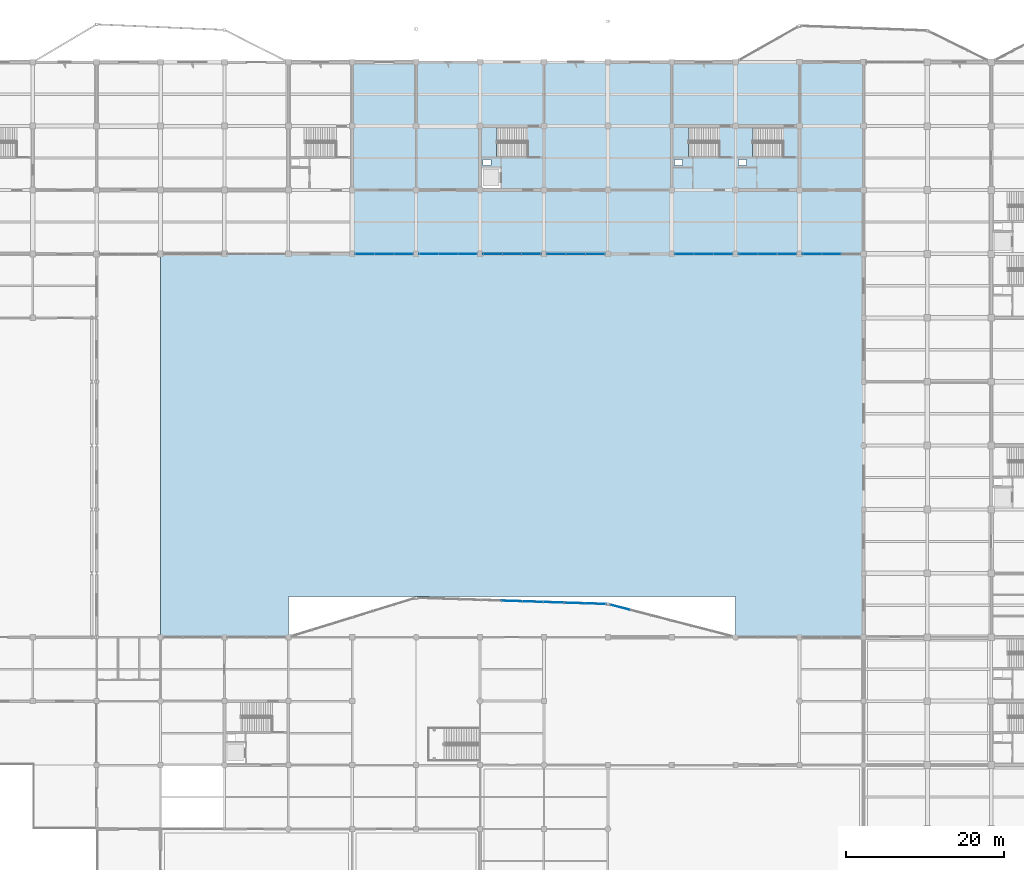
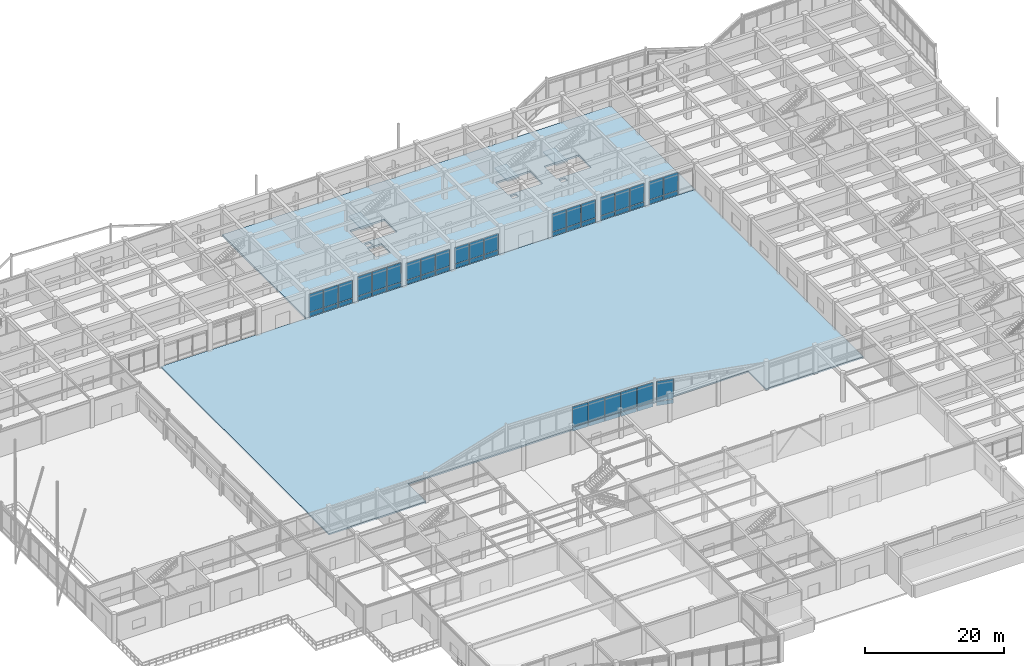
# One storey, part 54 of 99: 52 plates, 5 slabs, 13 elements without a shape of their own.
"""IFC4 building model written with IfcOpenShell, lengths in metres."""

from ifc_helpers import new_model, si_unit, direction, frame, origin, origin_2d, place, context, subcontext, project, spatial, polyline, rectangle, outline, extrude, material, layer, layer_set, type_object, element, aggregate, save


model = new_model("IFC4")

# Units and contexts
model_context = context("Model", 3, precision=1e-05, world=origin(), true_north=direction((0.0, 1.0)))
body_context = subcontext(model_context, "Body", "Model", "MODEL_VIEW")
ifc_project = project(units=[si_unit("LENGTHUNIT", "METRE"), si_unit("AREAUNIT", "SQUARE_METRE"), si_unit("VOLUMEUNIT", "CUBIC_METRE"), si_unit("PLANEANGLEUNIT", "RADIAN"), si_unit("MASSUNIT", "GRAM", prefix="KILO")], contexts=[model_context])

# Site, building, storey
site_placement = place(None, origin())
site = spatial("IfcSite", under=ifc_project, at=site_placement, CompositionType="ELEMENT")
building_placement = place(site_placement, origin())
building = spatial("IfcBuilding", under=site, at=building_placement, Name="Vaudrelin Polytechnic", CompositionType="ELEMENT")
storey_placement = place(building_placement, origin())
storey = spatial("IfcBuildingStorey", under=building, at=storey_placement, Name="L00", CompositionType="ELEMENT", Elevation=0.0)

# Curtain wall, plates
ifc_material_1 = material(Name="Thermally broken anodised aluminium AA 6063-T6 and low-e triple glazing", Category="aluminium")
ifc_layer_1 = layer(ifc_material_1, 0.199951171875)
ifc_layer_set_1 = layer_set([ifc_layer_1], Name="Thermally broken anodised aluminium AA 6063-T6 and low-e triple glazing")
curtain_wall_type_1 = type_object("IfcCurtainWallType", Name="CW-CW-LIB", PredefinedType="USERDEFINED", material=ifc_layer_set_1)
curtain_wall_1_placement = place(storey_placement, origin())
curtain_wall_1 = element("IfcCurtainWall", 1, at=curtain_wall_1_placement, inside=storey, type_object=curtain_wall_type_1, Name="Curtain wall L00 CT_N_04", ObjectType="CURTAIN WALL", PredefinedType="USERDEFINED")
ifc_material_2 = material(Name="Insulated ceramic-frit spandrel glass panel", Category="glass")
ifc_layer_2 = layer(ifc_material_2, 0.052001953125)
ifc_layer_set_2 = layer_set([ifc_layer_2], Name="Insulated ceramic-frit spandrel glass panel")
plate_type_1 = type_object("IfcPlateType", Name="PLT-GLZ-SPAND", PredefinedType="CURTAIN_PANEL", material=ifc_layer_set_2)
plate_1_placement = place(storey_placement, frame((66.398681640625, 97.199951171875, 0.08984375), z_axis=(0.0, 0.0, 1.0), x_axis=(1.0, 0.0, 0.0)))
plate_1 = element("IfcPlate", 2, at=plate_1_placement, type_object=plate_type_1, Name="CT_N_04 spandrel panel 1", PredefinedType="CURTAIN_PANEL", context=body_context, shape_type="SweptSolid", body=[
    extrude(rectangle(XDim=2.351318359375, YDim=0.052001953125, at=origin_2d()), origin(), (0.0, 0.0, 1.0), 0.699951171875),
])
plate_2_placement = place(storey_placement, frame((68.85009765625, 97.199951171875, 0.08984375), z_axis=(0.0, 0.0, 1.0), x_axis=(1.0, 0.0, 0.0)))
plate_2 = element("IfcPlate", 3, at=plate_2_placement, type_object=plate_type_1, Name="CT_N_04 spandrel panel 2", PredefinedType="CURTAIN_PANEL", context=body_context, shape_type="SweptSolid", body=[
    extrude(rectangle(XDim=2.351318359375, YDim=0.052001953125, at=origin_2d()), origin(), (0.0, 0.0, 1.0), 0.699951171875),
])
plate_3_placement = place(storey_placement, frame((71.30126953125, 97.199951171875, 0.08984375), z_axis=(0.0, 0.0, 1.0), x_axis=(1.0, 0.0, 0.0)))
plate_3 = element("IfcPlate", 4, at=plate_3_placement, type_object=plate_type_1, Name="CT_N_04 spandrel panel 3", PredefinedType="CURTAIN_PANEL", context=body_context, shape_type="SweptSolid", body=[
    extrude(rectangle(XDim=2.351318359375, YDim=0.052001953125, at=origin_2d()), origin(), (0.0, 0.0, 1.0), 0.699951171875),
])

curtain_wall_2_placement = place(storey_placement, origin())
curtain_wall_2 = element("IfcCurtainWall", 5, at=curtain_wall_2_placement, inside=storey, type_object=curtain_wall_type_1, Name="Curtain wall L00 CT_N_05", ObjectType="CURTAIN WALL", PredefinedType="USERDEFINED")
plate_4_placement = place(storey_placement, frame((74.498779296875, 97.199951171875, 0.08984375), z_axis=(0.0, 0.0, 1.0), x_axis=(1.0, 0.0, 0.0)))
plate_4 = element("IfcPlate", 6, at=plate_4_placement, type_object=plate_type_1, Name="CT_N_05 spandrel panel 1", PredefinedType="CURTAIN_PANEL", context=body_context, shape_type="SweptSolid", body=[
    extrude(rectangle(XDim=2.351318359375, YDim=0.052001953125, at=origin_2d()), origin(), (0.0, 0.0, 1.0), 0.699951171875),
])
plate_5_placement = place(storey_placement, frame((76.949951171875, 97.199951171875, 0.08984375), z_axis=(0.0, 0.0, 1.0), x_axis=(1.0, 0.0, 0.0)))
plate_5 = element("IfcPlate", 7, at=plate_5_placement, type_object=plate_type_1, Name="CT_N_05 spandrel panel 2", PredefinedType="CURTAIN_PANEL", context=body_context, shape_type="SweptSolid", body=[
    extrude(rectangle(XDim=2.351318359375, YDim=0.052001953125, at=origin_2d()), origin(), (0.0, 0.0, 1.0), 0.699951171875),
])
plate_6_placement = place(storey_placement, frame((79.4013671875, 97.199951171875, 0.08984375), z_axis=(0.0, 0.0, 1.0), x_axis=(1.0, 0.0, 0.0)))
plate_6 = element("IfcPlate", 8, at=plate_6_placement, type_object=plate_type_1, Name="CT_N_05 spandrel panel 3", PredefinedType="CURTAIN_PANEL", context=body_context, shape_type="SweptSolid", body=[
    extrude(rectangle(XDim=2.351318359375, YDim=0.052001953125, at=origin_2d()), origin(), (0.0, 0.0, 1.0), 0.699951171875),
])

curtain_wall_3_placement = place(storey_placement, origin())
curtain_wall_3 = element("IfcCurtainWall", 9, at=curtain_wall_3_placement, inside=storey, type_object=curtain_wall_type_1, Name="Curtain wall L00 CT_N_06", ObjectType="CURTAIN WALL", PredefinedType="USERDEFINED")
plate_7_placement = place(storey_placement, frame((82.5986328125, 97.199951171875, 0.08984375), z_axis=(0.0, 0.0, 1.0), x_axis=(1.0, 0.0, 0.0)))
plate_7 = element("IfcPlate", 10, at=plate_7_placement, type_object=plate_type_1, Name="CT_N_06 spandrel panel 1", PredefinedType="CURTAIN_PANEL", context=body_context, shape_type="SweptSolid", body=[
    extrude(rectangle(XDim=2.351318359375, YDim=0.052001953125, at=origin_2d()), origin(), (0.0, 0.0, 1.0), 0.699951171875),
])
plate_8_placement = place(storey_placement, frame((85.050048828125, 97.199951171875, 0.08984375), z_axis=(0.0, 0.0, 1.0), x_axis=(1.0, 0.0, 0.0)))
plate_8 = element("IfcPlate", 11, at=plate_8_placement, type_object=plate_type_1, Name="CT_N_06 spandrel panel 2", PredefinedType="CURTAIN_PANEL", context=body_context, shape_type="SweptSolid", body=[
    extrude(rectangle(XDim=2.351318359375, YDim=0.052001953125, at=origin_2d()), origin(), (0.0, 0.0, 1.0), 0.699951171875),
])
plate_9_placement = place(storey_placement, frame((87.501220703125, 97.199951171875, 0.08984375), z_axis=(0.0, 0.0, 1.0), x_axis=(1.0, 0.0, 0.0)))
plate_9 = element("IfcPlate", 12, at=plate_9_placement, type_object=plate_type_1, Name="CT_N_06 spandrel panel 3", PredefinedType="CURTAIN_PANEL", context=body_context, shape_type="SweptSolid", body=[
    extrude(rectangle(XDim=2.351318359375, YDim=0.052001953125, at=origin_2d()), origin(), (0.0, 0.0, 1.0), 0.699951171875),
])

curtain_wall_4_placement = place(storey_placement, origin())
curtain_wall_4 = element("IfcCurtainWall", 13, at=curtain_wall_4_placement, inside=storey, type_object=curtain_wall_type_1, Name="Curtain wall L00 CT_N_07", ObjectType="CURTAIN WALL", PredefinedType="USERDEFINED")
plate_10_placement = place(storey_placement, frame((90.69873046875, 97.199951171875, 0.08984375), z_axis=(0.0, 0.0, 1.0), x_axis=(1.0, 0.0, 0.0)))
plate_10 = element("IfcPlate", 14, at=plate_10_placement, type_object=plate_type_1, Name="CT_N_07 spandrel panel 1", PredefinedType="CURTAIN_PANEL", context=body_context, shape_type="SweptSolid", body=[
    extrude(rectangle(XDim=2.351318359375, YDim=0.052001953125, at=origin_2d()), origin(), (0.0, 0.0, 1.0), 0.699951171875),
])
plate_11_placement = place(storey_placement, frame((93.14990234375, 97.199951171875, 0.08984375), z_axis=(0.0, 0.0, 1.0), x_axis=(1.0, 0.0, 0.0)))
plate_11 = element("IfcPlate", 15, at=plate_11_placement, type_object=plate_type_1, Name="CT_N_07 spandrel panel 2", PredefinedType="CURTAIN_PANEL", context=body_context, shape_type="SweptSolid", body=[
    extrude(rectangle(XDim=2.351318359375, YDim=0.052001953125, at=origin_2d()), origin(), (0.0, 0.0, 1.0), 0.699951171875),
])
plate_12_placement = place(storey_placement, frame((95.601318359375, 97.199951171875, 0.08984375), z_axis=(0.0, 0.0, 1.0), x_axis=(1.0, 0.0, 0.0)))
plate_12 = element("IfcPlate", 16, at=plate_12_placement, type_object=plate_type_1, Name="CT_N_07 spandrel panel 3", PredefinedType="CURTAIN_PANEL", context=body_context, shape_type="SweptSolid", body=[
    extrude(rectangle(XDim=2.351318359375, YDim=0.052001953125, at=origin_2d()), origin(), (0.0, 0.0, 1.0), 0.699951171875),
])

curtain_wall_5_placement = place(storey_placement, origin())
curtain_wall_5 = element("IfcCurtainWall", 17, at=curtain_wall_5_placement, inside=storey, type_object=curtain_wall_type_1, Name="Curtain wall L00 CT_N_09", ObjectType="CURTAIN WALL", PredefinedType="USERDEFINED")
plate_13_placement = place(storey_placement, frame((106.898681640625, 97.199951171875, 0.08984375), z_axis=(0.0, 0.0, 1.0), x_axis=(1.0, 0.0, 0.0)))
plate_13 = element("IfcPlate", 18, at=plate_13_placement, type_object=plate_type_1, Name="CT_N_09 spandrel panel 1", PredefinedType="CURTAIN_PANEL", context=body_context, shape_type="SweptSolid", body=[
    extrude(rectangle(XDim=2.351318359375, YDim=0.052001953125, at=origin_2d()), origin(), (0.0, 0.0, 1.0), 0.699951171875),
])
plate_14_placement = place(storey_placement, frame((109.35009765625, 97.199951171875, 0.08984375), z_axis=(0.0, 0.0, 1.0), x_axis=(1.0, 0.0, 0.0)))
plate_14 = element("IfcPlate", 19, at=plate_14_placement, type_object=plate_type_1, Name="CT_N_09 spandrel panel 2", PredefinedType="CURTAIN_PANEL", context=body_context, shape_type="SweptSolid", body=[
    extrude(rectangle(XDim=2.351318359375, YDim=0.052001953125, at=origin_2d()), origin(), (0.0, 0.0, 1.0), 0.699951171875),
])
plate_15_placement = place(storey_placement, frame((111.80126953125, 97.199951171875, 0.08984375), z_axis=(0.0, 0.0, 1.0), x_axis=(1.0, 0.0, 0.0)))
plate_15 = element("IfcPlate", 20, at=plate_15_placement, type_object=plate_type_1, Name="CT_N_09 spandrel panel 3", PredefinedType="CURTAIN_PANEL", context=body_context, shape_type="SweptSolid", body=[
    extrude(rectangle(XDim=2.351318359375, YDim=0.052001953125, at=origin_2d()), origin(), (0.0, 0.0, 1.0), 0.699951171875),
])

curtain_wall_6_placement = place(storey_placement, origin())
curtain_wall_6 = element("IfcCurtainWall", 21, at=curtain_wall_6_placement, inside=storey, type_object=curtain_wall_type_1, Name="Curtain wall L00 CT_N_10", ObjectType="CURTAIN WALL", PredefinedType="USERDEFINED")
plate_16_placement = place(storey_placement, frame((114.998779296875, 97.199951171875, 0.08984375), z_axis=(0.0, 0.0, 1.0), x_axis=(1.0, 0.0, 0.0)))
plate_16 = element("IfcPlate", 22, at=plate_16_placement, type_object=plate_type_1, Name="CT_N_10 spandrel panel 1", PredefinedType="CURTAIN_PANEL", context=body_context, shape_type="SweptSolid", body=[
    extrude(rectangle(XDim=2.351318359375, YDim=0.052001953125, at=origin_2d()), origin(), (0.0, 0.0, 1.0), 0.699951171875),
])
plate_17_placement = place(storey_placement, frame((117.449951171875, 97.199951171875, 0.08984375), z_axis=(0.0, 0.0, 1.0), x_axis=(1.0, 0.0, 0.0)))
plate_17 = element("IfcPlate", 23, at=plate_17_placement, type_object=plate_type_1, Name="CT_N_10 spandrel panel 2", PredefinedType="CURTAIN_PANEL", context=body_context, shape_type="SweptSolid", body=[
    extrude(rectangle(XDim=2.351318359375, YDim=0.052001953125, at=origin_2d()), origin(), (0.0, 0.0, 1.0), 0.699951171875),
])
plate_18_placement = place(storey_placement, frame((119.9013671875, 97.199951171875, 0.08984375), z_axis=(0.0, 0.0, 1.0), x_axis=(1.0, 0.0, 0.0)))
plate_18 = element("IfcPlate", 24, at=plate_18_placement, type_object=plate_type_1, Name="CT_N_10 spandrel panel 3", PredefinedType="CURTAIN_PANEL", context=body_context, shape_type="SweptSolid", body=[
    extrude(rectangle(XDim=2.351318359375, YDim=0.052001953125, at=origin_2d()), origin(), (0.0, 0.0, 1.0), 0.699951171875),
])

curtain_wall_7_placement = place(storey_placement, origin())
curtain_wall_7 = element("IfcCurtainWall", 25, at=curtain_wall_7_placement, inside=storey, type_object=curtain_wall_type_1, Name="Curtain wall L00 CT_N_11", ObjectType="CURTAIN WALL", PredefinedType="USERDEFINED")
plate_19_placement = place(storey_placement, frame((123.0986328125, 97.199951171875, 0.08984375), z_axis=(0.0, 0.0, 1.0), x_axis=(1.0, 0.0, 0.0)))
plate_19 = element("IfcPlate", 26, at=plate_19_placement, type_object=plate_type_1, Name="CT_N_11 spandrel panel 1", PredefinedType="CURTAIN_PANEL", context=body_context, shape_type="SweptSolid", body=[
    extrude(rectangle(XDim=2.351318359375, YDim=0.052001953125, at=origin_2d()), origin(), (0.0, 0.0, 1.0), 0.699951171875),
])
plate_20_placement = place(storey_placement, frame((125.550048828125, 97.199951171875, 0.08984375), z_axis=(0.0, 0.0, 1.0), x_axis=(1.0, 0.0, 0.0)))
plate_20 = element("IfcPlate", 27, at=plate_20_placement, type_object=plate_type_1, Name="CT_N_11 spandrel panel 2", PredefinedType="CURTAIN_PANEL", context=body_context, shape_type="SweptSolid", body=[
    extrude(rectangle(XDim=2.351318359375, YDim=0.052001953125, at=origin_2d()), origin(), (0.0, 0.0, 1.0), 0.699951171875),
])

ifc_layer_3 = layer(ifc_material_1, 0.199951171875)
ifc_layer_set_3 = layer_set([ifc_layer_3], Name="Thermally broken anodised aluminium AA 6063-T6 and low-e triple glazing")
curtain_wall_type_2 = type_object("IfcCurtainWallType", Name="CW-CW-WG", PredefinedType="USERDEFINED", material=ifc_layer_set_3)
curtain_wall_8_placement = place(storey_placement, origin())
curtain_wall_8 = element("IfcCurtainWall", 28, at=curtain_wall_8_placement, inside=storey, type_object=curtain_wall_type_2, Name="Curtain wall L00 CT_OR1_2_1", ObjectType="CURTAIN WALL", PredefinedType="USERDEFINED")
plate_21_placement = place(storey_placement, frame((85.050048828125, 53.199951171875, 0.08984375), z_axis=(0.0, 0.0, 1.0), x_axis=(0.999458731894, -0.032897465558, 0.0)))
plate_21 = element("IfcPlate", 29, at=plate_21_placement, type_object=plate_type_1, Name="CT_OR1_2_1 spandrel panel 2", PredefinedType="CURTAIN_PANEL", context=body_context, shape_type="SweptSolid", body=[
    extrude(rectangle(XDim=2.548583984375, YDim=0.052001953125, at=origin_2d()), origin(), (0.0, 0.0, 1.0), 0.699951171875),
])
plate_22_placement = place(storey_placement, frame((87.697265625, 53.11279296875, 0.08984375), z_axis=(0.0, 0.0, 1.0), x_axis=(0.999458731894, -0.032897465558, 0.0)))
plate_22 = element("IfcPlate", 30, at=plate_22_placement, type_object=plate_type_1, Name="CT_OR1_2_1 spandrel panel 3", PredefinedType="CURTAIN_PANEL", context=body_context, shape_type="SweptSolid", body=[
    extrude(rectangle(XDim=2.548583984375, YDim=0.052001953125, at=origin_2d()), origin(), (0.0, 0.0, 1.0), 0.699951171875),
])

curtain_wall_9_placement = place(storey_placement, origin())
curtain_wall_9 = element("IfcCurtainWall", 31, at=curtain_wall_9_placement, inside=storey, type_object=curtain_wall_type_2, Name="Curtain wall L00 CT_OR1_2_2", ObjectType="CURTAIN WALL", PredefinedType="USERDEFINED")
plate_23_placement = place(storey_placement, frame((90.344482421875, 53.025634765625, 0.08984375), z_axis=(0.0, 0.0, 1.0), x_axis=(0.999458331652, -0.032909623096, 0.0)))
plate_23 = element("IfcPlate", 32, at=plate_23_placement, type_object=plate_type_1, Name="CT_OR1_2_2 spandrel panel 1", PredefinedType="CURTAIN_PANEL", context=body_context, shape_type="SweptSolid", body=[
    extrude(rectangle(XDim=2.548583984375, YDim=0.052001953125, at=origin_2d()), origin(), (0.0, 0.0, 1.0), 0.699951171875),
])
plate_24_placement = place(storey_placement, frame((92.99169921875, 52.9384765625, 0.08984375), z_axis=(0.0, 0.0, 1.0), x_axis=(0.999458331652, -0.032909623096, 0.0)))
plate_24 = element("IfcPlate", 33, at=plate_24_placement, type_object=plate_type_1, Name="CT_OR1_2_2 spandrel panel 2", PredefinedType="CURTAIN_PANEL", context=body_context, shape_type="SweptSolid", body=[
    extrude(rectangle(XDim=2.548583984375, YDim=0.052001953125, at=origin_2d()), origin(), (0.0, 0.0, 1.0), 0.699951171875),
])
plate_25_placement = place(storey_placement, frame((95.638916015625, 52.851318359375, 0.08984375), z_axis=(0.0, 0.0, 1.0), x_axis=(0.999458331652, -0.032909623096, 0.0)))
plate_25 = element("IfcPlate", 34, at=plate_25_placement, type_object=plate_type_1, Name="CT_OR1_2_2 spandrel panel 3", PredefinedType="CURTAIN_PANEL", context=body_context, shape_type="SweptSolid", body=[
    extrude(rectangle(XDim=2.548583984375, YDim=0.052001953125, at=origin_2d()), origin(), (0.0, 0.0, 1.0), 0.699951171875),
])

# Curtain wall, plate
curtain_wall_10_placement = place(storey_placement, origin())
curtain_wall_10 = element("IfcCurtainWall", 35, at=curtain_wall_10_placement, inside=storey, type_object=curtain_wall_type_2, Name="Curtain wall L00 CT_OR1_3_0", ObjectType="CURTAIN WALL", PredefinedType="USERDEFINED")
plate_26_placement = place(storey_placement, frame((98.72705078125, 52.404052734375, 0.08984375), z_axis=(0.0, 0.0, 1.0), x_axis=(0.967999032288, -0.250953927026, 0.0)))
plate_26 = element("IfcPlate", 36, at=plate_26_placement, type_object=plate_type_1, Name="CT_OR1_3_0 spandrel panel 1", PredefinedType="CURTAIN_PANEL", context=body_context, shape_type="SweptSolid", body=[
    extrude(rectangle(XDim=2.570068359375, YDim=0.052001953125, at=origin_2d()), origin(), (0.0, 0.0, 1.0), 0.699951171875),
])

# Plate
ifc_material_3 = material(Name="Triple low-e argon insulated glazing unit", Category="glass")
ifc_layer_4 = layer(ifc_material_3, 0.0439453125)
ifc_layer_set_4 = layer_set([ifc_layer_4], Name="Triple low-e argon insulated glazing unit")
plate_type_2 = type_object("IfcPlateType", Name="PLT-GLZ-TRIPLE", PredefinedType="CURTAIN_PANEL", material=ifc_layer_set_4)
plate_27_placement = place(storey_placement, frame((66.398681640625, 97.199951171875, 0.89990234375), z_axis=(0.0, 0.0, 1.0), x_axis=(1.0, 0.0, 0.0)))
plate_27 = element("IfcPlate", 37, at=plate_27_placement, type_object=plate_type_2, Name="CT_N_04 vision panel 1", PredefinedType="CURTAIN_PANEL", context=body_context, shape_type="SweptSolid", body=[
    extrude(rectangle(XDim=2.351318359375, YDim=0.0439453125, at=origin_2d()), origin(), (0.0, 0.0, 1.0), 3.172119140625),
])

plate_28_placement = place(storey_placement, frame((68.85009765625, 97.199951171875, 0.89990234375), z_axis=(0.0, 0.0, 1.0), x_axis=(1.0, 0.0, 0.0)))
plate_28 = element("IfcPlate", 38, at=plate_28_placement, type_object=plate_type_2, Name="CT_N_04 vision panel 2", PredefinedType="CURTAIN_PANEL", context=body_context, shape_type="SweptSolid", body=[
    extrude(rectangle(XDim=2.351318359375, YDim=0.0439453125, at=origin_2d()), origin(), (0.0, 0.0, 1.0), 3.172119140625),
])

plate_29_placement = place(storey_placement, frame((71.30126953125, 97.199951171875, 0.89990234375), z_axis=(0.0, 0.0, 1.0), x_axis=(1.0, 0.0, 0.0)))
plate_29 = element("IfcPlate", 39, at=plate_29_placement, type_object=plate_type_2, Name="CT_N_04 vision panel 3", PredefinedType="CURTAIN_PANEL", context=body_context, shape_type="SweptSolid", body=[
    extrude(rectangle(XDim=2.351318359375, YDim=0.0439453125, at=origin_2d()), origin(), (0.0, 0.0, 1.0), 3.172119140625),
])

aggregate(curtain_wall_1, [plate_1, plate_27, plate_2, plate_28, plate_3, plate_29])

plate_30_placement = place(storey_placement, frame((74.498779296875, 97.199951171875, 0.89990234375), z_axis=(0.0, 0.0, 1.0), x_axis=(1.0, 0.0, 0.0)))
plate_30 = element("IfcPlate", 40, at=plate_30_placement, type_object=plate_type_2, Name="CT_N_05 vision panel 1", PredefinedType="CURTAIN_PANEL", context=body_context, shape_type="SweptSolid", body=[
    extrude(rectangle(XDim=2.351318359375, YDim=0.0439453125, at=origin_2d()), origin(), (0.0, 0.0, 1.0), 3.406982421875),
])

plate_31_placement = place(storey_placement, frame((76.949951171875, 97.199951171875, 0.89990234375), z_axis=(0.0, 0.0, 1.0), x_axis=(1.0, 0.0, 0.0)))
plate_31 = element("IfcPlate", 41, at=plate_31_placement, type_object=plate_type_2, Name="CT_N_05 vision panel 2", PredefinedType="CURTAIN_PANEL", context=body_context, shape_type="SweptSolid", body=[
    extrude(rectangle(XDim=2.351318359375, YDim=0.0439453125, at=origin_2d()), origin(), (0.0, 0.0, 1.0), 3.406982421875),
])

plate_32_placement = place(storey_placement, frame((79.4013671875, 97.199951171875, 0.89990234375), z_axis=(0.0, 0.0, 1.0), x_axis=(1.0, 0.0, 0.0)))
plate_32 = element("IfcPlate", 42, at=plate_32_placement, type_object=plate_type_2, Name="CT_N_05 vision panel 3", PredefinedType="CURTAIN_PANEL", context=body_context, shape_type="SweptSolid", body=[
    extrude(rectangle(XDim=2.351318359375, YDim=0.0439453125, at=origin_2d()), origin(), (0.0, 0.0, 1.0), 3.406982421875),
])

aggregate(curtain_wall_2, [plate_4, plate_30, plate_5, plate_31, plate_6, plate_32])

plate_33_placement = place(storey_placement, frame((82.5986328125, 97.199951171875, 0.89990234375), z_axis=(0.0, 0.0, 1.0), x_axis=(1.0, 0.0, 0.0)))
plate_33 = element("IfcPlate", 43, at=plate_33_placement, type_object=plate_type_2, Name="CT_N_06 vision panel 1", PredefinedType="CURTAIN_PANEL", context=body_context, shape_type="SweptSolid", body=[
    extrude(rectangle(XDim=2.351318359375, YDim=0.0439453125, at=origin_2d()), origin(), (0.0, 0.0, 1.0), 2.971923828125),
])

plate_34_placement = place(storey_placement, frame((85.050048828125, 97.199951171875, 0.89990234375), z_axis=(0.0, 0.0, 1.0), x_axis=(1.0, 0.0, 0.0)))
plate_34 = element("IfcPlate", 44, at=plate_34_placement, type_object=plate_type_2, Name="CT_N_06 vision panel 2", PredefinedType="CURTAIN_PANEL", context=body_context, shape_type="SweptSolid", body=[
    extrude(rectangle(XDim=2.351318359375, YDim=0.0439453125, at=origin_2d()), origin(), (0.0, 0.0, 1.0), 2.971923828125),
])

plate_35_placement = place(storey_placement, frame((87.501220703125, 97.199951171875, 0.89990234375), z_axis=(0.0, 0.0, 1.0), x_axis=(1.0, 0.0, 0.0)))
plate_35 = element("IfcPlate", 45, at=plate_35_placement, type_object=plate_type_2, Name="CT_N_06 vision panel 3", PredefinedType="CURTAIN_PANEL", context=body_context, shape_type="SweptSolid", body=[
    extrude(rectangle(XDim=2.351318359375, YDim=0.0439453125, at=origin_2d()), origin(), (0.0, 0.0, 1.0), 2.971923828125),
])

aggregate(curtain_wall_3, [plate_7, plate_33, plate_8, plate_34, plate_9, plate_35])

plate_36_placement = place(storey_placement, frame((90.69873046875, 97.199951171875, 0.89990234375), z_axis=(0.0, 0.0, 1.0), x_axis=(1.0, 0.0, 0.0)))
plate_36 = element("IfcPlate", 46, at=plate_36_placement, type_object=plate_type_2, Name="CT_N_07 vision panel 1", PredefinedType="CURTAIN_PANEL", context=body_context, shape_type="SweptSolid", body=[
    extrude(rectangle(XDim=2.351318359375, YDim=0.0439453125, at=origin_2d()), origin(), (0.0, 0.0, 1.0), 2.8720703125),
])

plate_37_placement = place(storey_placement, frame((93.14990234375, 97.199951171875, 0.89990234375), z_axis=(0.0, 0.0, 1.0), x_axis=(1.0, 0.0, 0.0)))
plate_37 = element("IfcPlate", 47, at=plate_37_placement, type_object=plate_type_2, Name="CT_N_07 vision panel 2", PredefinedType="CURTAIN_PANEL", context=body_context, shape_type="SweptSolid", body=[
    extrude(rectangle(XDim=2.351318359375, YDim=0.0439453125, at=origin_2d()), origin(), (0.0, 0.0, 1.0), 2.8720703125),
])

plate_38_placement = place(storey_placement, frame((95.601318359375, 97.199951171875, 0.89990234375), z_axis=(0.0, 0.0, 1.0), x_axis=(1.0, 0.0, 0.0)))
plate_38 = element("IfcPlate", 48, at=plate_38_placement, type_object=plate_type_2, Name="CT_N_07 vision panel 3", PredefinedType="CURTAIN_PANEL", context=body_context, shape_type="SweptSolid", body=[
    extrude(rectangle(XDim=2.351318359375, YDim=0.0439453125, at=origin_2d()), origin(), (0.0, 0.0, 1.0), 2.8720703125),
])

aggregate(curtain_wall_4, [plate_10, plate_36, plate_11, plate_37, plate_12, plate_38])

plate_39_placement = place(storey_placement, frame((106.898681640625, 97.199951171875, 0.89990234375), z_axis=(0.0, 0.0, 1.0), x_axis=(1.0, 0.0, 0.0)))
plate_39 = element("IfcPlate", 49, at=plate_39_placement, type_object=plate_type_2, Name="CT_N_09 vision panel 1", PredefinedType="CURTAIN_PANEL", context=body_context, shape_type="SweptSolid", body=[
    extrude(rectangle(XDim=2.351318359375, YDim=0.0439453125, at=origin_2d()), origin(), (0.0, 0.0, 1.0), 3.172119140625),
])

plate_40_placement = place(storey_placement, frame((109.35009765625, 97.199951171875, 0.89990234375), z_axis=(0.0, 0.0, 1.0), x_axis=(1.0, 0.0, 0.0)))
plate_40 = element("IfcPlate", 50, at=plate_40_placement, type_object=plate_type_2, Name="CT_N_09 vision panel 2", PredefinedType="CURTAIN_PANEL", context=body_context, shape_type="SweptSolid", body=[
    extrude(rectangle(XDim=2.351318359375, YDim=0.0439453125, at=origin_2d()), origin(), (0.0, 0.0, 1.0), 3.172119140625),
])

plate_41_placement = place(storey_placement, frame((111.80126953125, 97.199951171875, 0.89990234375), z_axis=(0.0, 0.0, 1.0), x_axis=(1.0, 0.0, 0.0)))
plate_41 = element("IfcPlate", 51, at=plate_41_placement, type_object=plate_type_2, Name="CT_N_09 vision panel 3", PredefinedType="CURTAIN_PANEL", context=body_context, shape_type="SweptSolid", body=[
    extrude(rectangle(XDim=2.351318359375, YDim=0.0439453125, at=origin_2d()), origin(), (0.0, 0.0, 1.0), 3.172119140625),
])

aggregate(curtain_wall_5, [plate_13, plate_39, plate_14, plate_40, plate_15, plate_41])

plate_42_placement = place(storey_placement, frame((114.998779296875, 97.199951171875, 0.89990234375), z_axis=(0.0, 0.0, 1.0), x_axis=(1.0, 0.0, 0.0)))
plate_42 = element("IfcPlate", 52, at=plate_42_placement, type_object=plate_type_2, Name="CT_N_10 vision panel 1", PredefinedType="CURTAIN_PANEL", context=body_context, shape_type="SweptSolid", body=[
    extrude(rectangle(XDim=2.351318359375, YDim=0.0439453125, at=origin_2d()), origin(), (0.0, 0.0, 1.0), 3.221923828125),
])

plate_43_placement = place(storey_placement, frame((117.449951171875, 97.199951171875, 0.89990234375), z_axis=(0.0, 0.0, 1.0), x_axis=(1.0, 0.0, 0.0)))
plate_43 = element("IfcPlate", 53, at=plate_43_placement, type_object=plate_type_2, Name="CT_N_10 vision panel 2", PredefinedType="CURTAIN_PANEL", context=body_context, shape_type="SweptSolid", body=[
    extrude(rectangle(XDim=2.351318359375, YDim=0.0439453125, at=origin_2d()), origin(), (0.0, 0.0, 1.0), 3.221923828125),
])

plate_44_placement = place(storey_placement, frame((119.9013671875, 97.199951171875, 0.89990234375), z_axis=(0.0, 0.0, 1.0), x_axis=(1.0, 0.0, 0.0)))
plate_44 = element("IfcPlate", 54, at=plate_44_placement, type_object=plate_type_2, Name="CT_N_10 vision panel 3", PredefinedType="CURTAIN_PANEL", context=body_context, shape_type="SweptSolid", body=[
    extrude(rectangle(XDim=2.351318359375, YDim=0.0439453125, at=origin_2d()), origin(), (0.0, 0.0, 1.0), 3.221923828125),
])

aggregate(curtain_wall_6, [plate_16, plate_42, plate_17, plate_43, plate_18, plate_44])

plate_45_placement = place(storey_placement, frame((123.0986328125, 97.199951171875, 0.89990234375), z_axis=(0.0, 0.0, 1.0), x_axis=(1.0, 0.0, 0.0)))
plate_45 = element("IfcPlate", 55, at=plate_45_placement, type_object=plate_type_2, Name="CT_N_11 vision panel 1", PredefinedType="CURTAIN_PANEL", context=body_context, shape_type="SweptSolid", body=[
    extrude(rectangle(XDim=2.351318359375, YDim=0.0439453125, at=origin_2d()), origin(), (0.0, 0.0, 1.0), 3.172119140625),
])

plate_46_placement = place(storey_placement, frame((125.550048828125, 97.199951171875, 0.89990234375), z_axis=(0.0, 0.0, 1.0), x_axis=(1.0, 0.0, 0.0)))
plate_46 = element("IfcPlate", 56, at=plate_46_placement, type_object=plate_type_2, Name="CT_N_11 vision panel 2", PredefinedType="CURTAIN_PANEL", context=body_context, shape_type="SweptSolid", body=[
    extrude(rectangle(XDim=2.351318359375, YDim=0.0439453125, at=origin_2d()), origin(), (0.0, 0.0, 1.0), 3.172119140625),
])

aggregate(curtain_wall_7, [plate_19, plate_45, plate_20, plate_46])

plate_47_placement = place(storey_placement, frame((85.050048828125, 53.199951171875, 0.89990234375), z_axis=(0.0, 0.0, 1.0), x_axis=(0.999458731894, -0.032897465558, 0.0)))
plate_47 = element("IfcPlate", 57, at=plate_47_placement, type_object=plate_type_2, Name="CT_OR1_2_1 vision panel 2", PredefinedType="CURTAIN_PANEL", context=body_context, shape_type="SweptSolid", body=[
    extrude(rectangle(XDim=2.548583984375, YDim=0.0439453125, at=origin_2d()), origin(), (0.0, 0.0, 1.0), 3.489990234375),
])

plate_48_placement = place(storey_placement, frame((87.697265625, 53.11279296875, 0.89990234375), z_axis=(0.0, 0.0, 1.0), x_axis=(0.999458731894, -0.032897465558, 0.0)))
plate_48 = element("IfcPlate", 58, at=plate_48_placement, type_object=plate_type_2, Name="CT_OR1_2_1 vision panel 3", PredefinedType="CURTAIN_PANEL", context=body_context, shape_type="SweptSolid", body=[
    extrude(rectangle(XDim=2.548583984375, YDim=0.0439453125, at=origin_2d()), origin(), (0.0, 0.0, 1.0), 3.489990234375),
])

aggregate(curtain_wall_8, [plate_21, plate_47, plate_22, plate_48])

plate_49_placement = place(storey_placement, frame((90.344482421875, 53.025634765625, 0.89990234375), z_axis=(0.0, 0.0, 1.0), x_axis=(0.999458331652, -0.032909623096, 0.0)))
plate_49 = element("IfcPlate", 59, at=plate_49_placement, type_object=plate_type_2, Name="CT_OR1_2_2 vision panel 1", PredefinedType="CURTAIN_PANEL", context=body_context, shape_type="SweptSolid", body=[
    extrude(rectangle(XDim=2.548583984375, YDim=0.0439453125, at=origin_2d()), origin(), (0.0, 0.0, 1.0), 3.489990234375),
])

plate_50_placement = place(storey_placement, frame((92.99169921875, 52.9384765625, 0.89990234375), z_axis=(0.0, 0.0, 1.0), x_axis=(0.999458331652, -0.032909623096, 0.0)))
plate_50 = element("IfcPlate", 60, at=plate_50_placement, type_object=plate_type_2, Name="CT_OR1_2_2 vision panel 2", PredefinedType="CURTAIN_PANEL", context=body_context, shape_type="SweptSolid", body=[
    extrude(rectangle(XDim=2.548583984375, YDim=0.0439453125, at=origin_2d()), origin(), (0.0, 0.0, 1.0), 3.489990234375),
])

plate_51_placement = place(storey_placement, frame((95.638916015625, 52.851318359375, 0.89990234375), z_axis=(0.0, 0.0, 1.0), x_axis=(0.999458331652, -0.032909623096, 0.0)))
plate_51 = element("IfcPlate", 61, at=plate_51_placement, type_object=plate_type_2, Name="CT_OR1_2_2 vision panel 3", PredefinedType="CURTAIN_PANEL", context=body_context, shape_type="SweptSolid", body=[
    extrude(rectangle(XDim=2.548583984375, YDim=0.0439453125, at=origin_2d()), origin(), (0.0, 0.0, 1.0), 3.489990234375),
])

aggregate(curtain_wall_9, [plate_23, plate_49, plate_24, plate_50, plate_25, plate_51])

plate_52_placement = place(storey_placement, frame((98.72705078125, 52.404052734375, 0.89990234375), z_axis=(0.0, 0.0, 1.0), x_axis=(0.967999032288, -0.250953927026, 0.0)))
plate_52 = element("IfcPlate", 62, at=plate_52_placement, type_object=plate_type_2, Name="CT_OR1_3_0 vision panel 1", PredefinedType="CURTAIN_PANEL", context=body_context, shape_type="SweptSolid", body=[
    extrude(rectangle(XDim=2.570068359375, YDim=0.0439453125, at=origin_2d()), origin(), (0.0, 0.0, 1.0), 3.489990234375),
])

aggregate(curtain_wall_10, [plate_26, plate_52])

# Stair, slab
ifc_material_4 = material(Name="Concrete 35 MPa", Category="concrete")
stair_type = type_object("IfcStairType", Name="STR-ST-CORE", PredefinedType="TWO_STRAIGHT_RUN_STAIR", material=ifc_material_4)
stair_1_placement = place(storey_placement, origin())
stair_1 = element("IfcStair", 63, at=stair_1_placement, inside=storey, type_object=stair_type, Name="Exit stair ST-02-L00", PredefinedType="TWO_STRAIGHT_RUN_STAIR")
ifc_layer_5 = layer(ifc_material_4, 0.219970703125)
ifc_layer_set_5 = layer_set([ifc_layer_5], Name="Concrete 35 MPa")
slab_type_1 = type_object("IfcSlabType", Name="SLB-LND220", PredefinedType="LANDING", material=ifc_layer_set_5)
slab_1_placement = place(storey_placement, frame((0.0, 0.0, 2.330078125)))
slab_1 = element("IfcSlab", 64, at=slab_1_placement, type_object=slab_type_1, Name="ST-02-L00 landing 1", PredefinedType="LANDING", context=body_context, shape_type="SweptSolid", body=[
    extrude(outline(polyline([(81.139892578125, 109.4599609375), (83.110107421875, 109.4599609375), (83.110107421875, 113.300048828125), (81.139892578125, 113.300048828125), (81.139892578125, 109.4599609375)])), origin(), (0.0, 0.0, 1.0), 0.219970703125),
])
aggregate(stair_1, [slab_1])

stair_2_placement = place(storey_placement, origin())
stair_2 = element("IfcStair", 65, at=stair_2_placement, inside=storey, type_object=stair_type, Name="Exit stair ST-10-L00", PredefinedType="TWO_STRAIGHT_RUN_STAIR")
slab_2_placement = place(storey_placement, frame((0.0, 0.0, 2.330078125)))
slab_2 = element("IfcSlab", 66, at=slab_2_placement, type_object=slab_type_1, Name="ST-10-L00 landing 1", PredefinedType="LANDING", context=body_context, shape_type="SweptSolid", body=[
    extrude(outline(polyline([(113.5400390625, 109.4599609375), (115.510009765625, 109.4599609375), (115.510009765625, 113.300048828125), (113.5400390625, 113.300048828125), (113.5400390625, 109.4599609375)])), origin(), (0.0, 0.0, 1.0), 0.219970703125),
])
aggregate(stair_2, [slab_2])

stair_3_placement = place(storey_placement, origin())
stair_3 = element("IfcStair", 67, at=stair_3_placement, inside=storey, type_object=stair_type, Name="Exit stair ST-11-L00", PredefinedType="TWO_STRAIGHT_RUN_STAIR")
slab_3_placement = place(storey_placement, frame((0.0, 0.0, 2.330078125)))
slab_3 = element("IfcSlab", 68, at=slab_3_placement, type_object=slab_type_1, Name="ST-11-L00 landing 1", PredefinedType="LANDING", context=body_context, shape_type="SweptSolid", body=[
    extrude(outline(polyline([(105.43994140625, 109.4599609375), (107.409912109375, 109.4599609375), (107.409912109375, 113.300048828125), (105.43994140625, 113.300048828125), (105.43994140625, 109.4599609375)])), origin(), (0.0, 0.0, 1.0), 0.219970703125),
])
aggregate(stair_3, [slab_3])

# Slabs
ifc_layer_6 = layer(ifc_material_4, 0.320068359375)
ifc_layer_set_6 = layer_set([ifc_layer_6], Name="Concrete 35 MPa")
slab_type_2 = type_object("IfcSlabType", Name="SLB-SL-F320", PredefinedType="FLOOR", material=ifc_layer_set_6)
slab_4_placement = place(storey_placement, frame((0.0, 0.0, -0.320068359375)))
element("IfcSlab", 69, at=slab_4_placement, inside=storey, type_object=slab_type_2, Name="L00 floor slab V5-E", PredefinedType="FLOOR", context=body_context, shape_type="SweptSolid", body=[
    extrude(outline(polyline([(64.800048828125, 97.199951171875), (129.60009765625, 97.199951171875), (129.60009765625, 121.5), (64.800048828125, 121.5), (64.800048828125, 97.199951171875)]), holes=[polyline([(81.25, 109.510009765625), (87.0, 109.510009765625), (87.0, 113.14990234375), (81.25, 113.14990234375), (81.25, 109.510009765625)]), polyline([(81.25, 105.550048828125), (83.580078125, 105.550048828125), (83.580078125, 108.030029296875), (81.25, 108.030029296875), (81.25, 105.550048828125)]), polyline([(81.3798828125, 108.3798828125), (82.3798828125, 108.3798828125), (82.3798828125, 109.179931640625), (81.3798828125, 109.179931640625), (81.3798828125, 108.3798828125)]), polyline([(113.64990234375, 109.510009765625), (119.39990234375, 109.510009765625), (119.39990234375, 113.14990234375), (113.64990234375, 113.14990234375), (113.64990234375, 109.510009765625)]), polyline([(113.780029296875, 108.3798828125), (114.780029296875, 108.3798828125), (114.780029296875, 109.179931640625), (113.780029296875, 109.179931640625), (113.780029296875, 108.3798828125)]), polyline([(105.550048828125, 109.510009765625), (111.300048828125, 109.510009765625), (111.300048828125, 113.14990234375), (105.550048828125, 113.14990234375), (105.550048828125, 109.510009765625)]), polyline([(105.679931640625, 108.3798828125), (106.679931640625, 108.3798828125), (106.679931640625, 109.179931640625), (105.679931640625, 109.179931640625), (105.679931640625, 108.3798828125)])]), origin(), (0.0, 0.0, 1.0), 0.320068359375),
])
ifc_layer_7 = layer(ifc_material_4, 0.2548828125)
ifc_layer_set_7 = layer_set([ifc_layer_7], Name="Concrete 35 MPa")
slab_type_3 = type_object("IfcSlabType", Name="SLB-SL-PLZ200", PredefinedType="FLOOR", material=ifc_layer_set_7)
slab_5_placement = place(storey_placement, frame((0.0, 0.0, -0.2548828125)))
element("IfcSlab", 70, at=slab_5_placement, inside=storey, type_object=slab_type_3, Name="L00 plaza slab AP-COURT", PredefinedType="FLOOR", context=body_context, shape_type="SweptSolid", body=[
    extrude(outline(polyline([(40.5, 48.60009765625), (56.699951171875, 48.60009765625), (56.699951171875, 53.800048828125), (113.39990234375, 53.800048828125), (113.39990234375, 48.60009765625), (129.60009765625, 48.60009765625), (129.60009765625, 97.199951171875), (40.5, 97.199951171875), (40.5, 48.60009765625)])), origin(), (0.0, 0.0, 1.0), 0.2548828125),
])

save(model, "model.ifc")
